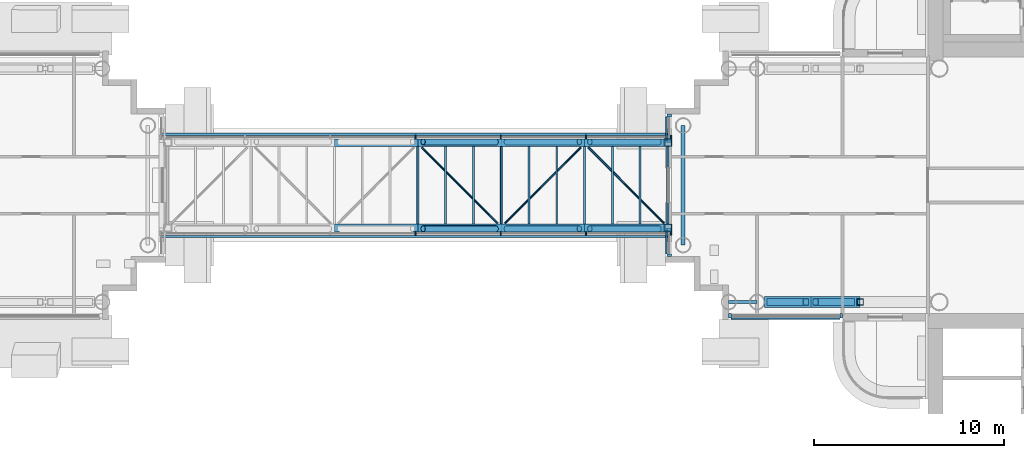
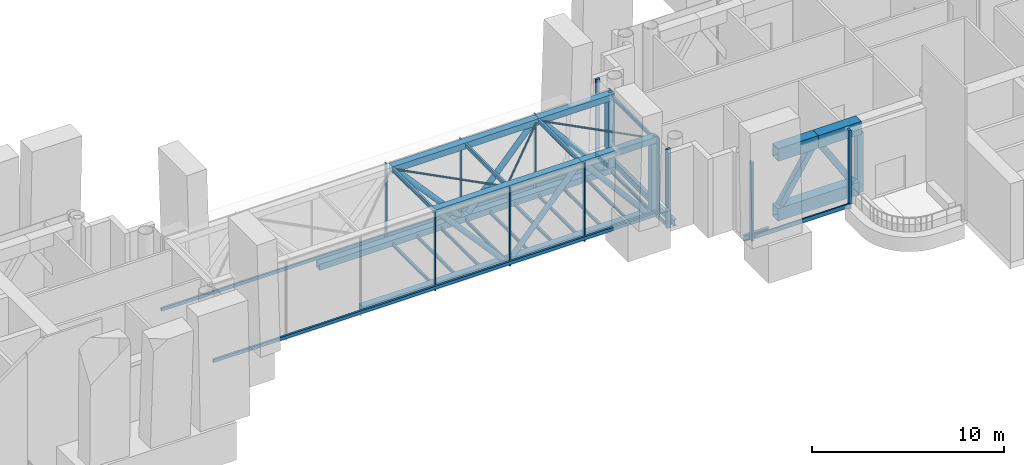
# One storey, part 6 of 34: 44 members, 16 beams, 5 elements without a shape of their own.
"""IFC4 building model written with IfcOpenShell, lengths in metres."""

from ifc_helpers import new_model, si_unit, direction, frame, origin, origin_2d, place, context, subcontext, project, spatial, rectangle, hollow_rectangle, hollow_circle, i_section, extrude, material, layer, layer_set, material_profile, profile_set, type_object, element, aggregate, save


model = new_model("IFC4")

# Units and contexts
model_context = context("Model", 3, precision=1e-05, world=origin(), true_north=direction((0.0, 1.0)))
body_context = subcontext(model_context, "Body", "Model", "MODEL_VIEW")
ifc_project = project(units=[si_unit("LENGTHUNIT", "METRE"), si_unit("AREAUNIT", "SQUARE_METRE"), si_unit("VOLUMEUNIT", "CUBIC_METRE"), si_unit("PLANEANGLEUNIT", "RADIAN"), si_unit("MASSUNIT", "GRAM", prefix="KILO")], contexts=[model_context])

# Site, building, storey
site_placement = place(None, origin())
site = spatial("IfcSite", under=ifc_project, at=site_placement, CompositionType="ELEMENT")
building_placement = place(site_placement, origin())
building = spatial("IfcBuilding", under=site, at=building_placement, Name="Ipe Terrace Towers", CompositionType="ELEMENT")
storey_placement = place(building_placement, frame((0.0, 0.0, 128.699951171875)))
storey = spatial("IfcBuildingStorey", under=building, at=storey_placement, Name="L35", CompositionType="ELEMENT", Elevation=128.699951171875)

# Curtain wall, members
ifc_material_1 = material(Name="Aluminium alloy 6063-T6", Category="aluminium")
ifc_layer_1 = layer(ifc_material_1, 0.300048828125)
ifc_layer_set_1 = layer_set([ifc_layer_1], Name="BRIDGE ENCLOSURE CURTAIN WALL")
curtain_wall_type_1 = type_object("IfcCurtainWallType", Name="BRIDGE ENCLOSURE CURTAIN WALL", PredefinedType="NOTDEFINED", material=ifc_layer_set_1)
curtain_wall_1_placement = place(storey_placement, origin())
curtain_wall_1 = element("IfcCurtainWall", 1, at=curtain_wall_1_placement, inside=storey, type_object=curtain_wall_type_1, Name="BR2-CW1 curtain wall", PredefinedType="NOTDEFINED")
ifc_material_2 = material(Name="Aluminium alloy 6063-T6", Category="aluminium")
ifc_material_profile_1 = material_profile(ifc_material_2, rectangle(XDim=0.179931640625, YDim=0.070068359375, at=origin_2d()), Name="BRIDGE ENCLOSURE MULLION 180 x 70")
ifc_profile_set_1 = profile_set([ifc_material_profile_1], Name="Aluminium alloy 6063-T6")
member_type_1 = type_object("IfcMemberType", Name="BRIDGE ENCLOSURE MULLION 180 x 70", PredefinedType="MULLION", material=ifc_profile_set_1)
member_1_placement = place(storey_placement, frame((15.715087890625, 2.544921875, -0.300048828125), z_axis=(0.0, 0.0, 1.0), x_axis=(0.0, 1.0, 0.0)))
member_1 = element("IfcMember", 2, at=member_1_placement, type_object=member_type_1, Name="BR2-CW1 mullion 1", PredefinedType="MULLION", context=body_context, shape_type="SweptSolid", body=[
    extrude(rectangle(XDim=0.179931640625, YDim=0.070068359375, at=origin_2d()), origin(), (0.0, 0.0, 1.0), 5.0),
])
member_2_placement = place(storey_placement, frame((11.2265625, 2.544921875, -0.300048828125), z_axis=(0.0, 0.0, 1.0), x_axis=(0.0, 1.0, 0.0)))
member_2 = element("IfcMember", 3, at=member_2_placement, type_object=member_type_1, Name="BR2-CW1 mullion 2", PredefinedType="MULLION", context=body_context, shape_type="SweptSolid", body=[
    extrude(rectangle(XDim=0.179931640625, YDim=0.070068359375, at=origin_2d()), origin(), (0.0, 0.0, 1.0), 5.0),
])
member_3_placement = place(storey_placement, frame((6.73828125, 2.544921875, -0.300048828125), z_axis=(0.0, 0.0, 1.0), x_axis=(0.0, 1.0, 0.0)))
member_3 = element("IfcMember", 4, at=member_3_placement, type_object=member_type_1, Name="BR2-CW1 mullion 3", PredefinedType="MULLION", context=body_context, shape_type="SweptSolid", body=[
    extrude(rectangle(XDim=0.179931640625, YDim=0.070068359375, at=origin_2d()), origin(), (0.0, 0.0, 1.0), 5.0),
])
member_4_placement = place(storey_placement, frame((2.25, 2.544921875, -0.300048828125), z_axis=(0.0, 0.0, 1.0), x_axis=(0.0, 1.0, 0.0)))
member_4 = element("IfcMember", 5, at=member_4_placement, type_object=member_type_1, Name="BR2-CW1 mullion 4", PredefinedType="MULLION", context=body_context, shape_type="SweptSolid", body=[
    extrude(rectangle(XDim=0.179931640625, YDim=0.070068359375, at=origin_2d()), origin(), (0.0, 0.0, 1.0), 5.0),
])

curtain_wall_2_placement = place(storey_placement, origin())
curtain_wall_2 = element("IfcCurtainWall", 6, at=curtain_wall_2_placement, inside=storey, type_object=curtain_wall_type_1, Name="BR2-CW2 curtain wall", PredefinedType="NOTDEFINED")
member_5_placement = place(storey_placement, frame((2.25, -2.544921875, -0.300048828125), z_axis=(0.0, 0.0, 1.0), x_axis=(0.0, -1.0, 0.0)))
member_5 = element("IfcMember", 7, at=member_5_placement, type_object=member_type_1, Name="BR2-CW2 mullion 4", PredefinedType="MULLION", context=body_context, shape_type="SweptSolid", body=[
    extrude(rectangle(XDim=0.179931640625, YDim=0.070068359375, at=origin_2d()), origin(), (0.0, 0.0, 1.0), 5.0),
])
member_6_placement = place(storey_placement, frame((6.73828125, -2.544921875, -0.300048828125), z_axis=(0.0, 0.0, 1.0), x_axis=(0.0, -1.0, 0.0)))
member_6 = element("IfcMember", 8, at=member_6_placement, type_object=member_type_1, Name="BR2-CW2 mullion 5", PredefinedType="MULLION", context=body_context, shape_type="SweptSolid", body=[
    extrude(rectangle(XDim=0.179931640625, YDim=0.070068359375, at=origin_2d()), origin(), (0.0, 0.0, 1.0), 5.0),
])
member_7_placement = place(storey_placement, frame((11.2265625, -2.544921875, -0.300048828125), z_axis=(0.0, 0.0, 1.0), x_axis=(0.0, -1.0, 0.0)))
member_7 = element("IfcMember", 9, at=member_7_placement, type_object=member_type_1, Name="BR2-CW2 mullion 6", PredefinedType="MULLION", context=body_context, shape_type="SweptSolid", body=[
    extrude(rectangle(XDim=0.179931640625, YDim=0.070068359375, at=origin_2d()), origin(), (0.0, 0.0, 1.0), 5.0),
])
member_8_placement = place(storey_placement, frame((15.715087890625, -2.544921875, -0.300048828125), z_axis=(0.0, 0.0, 1.0), x_axis=(0.0, -1.0, 0.0)))
member_8 = element("IfcMember", 10, at=member_8_placement, type_object=member_type_1, Name="BR2-CW2 mullion 7", PredefinedType="MULLION", context=body_context, shape_type="SweptSolid", body=[
    extrude(rectangle(XDim=0.179931640625, YDim=0.070068359375, at=origin_2d()), origin(), (0.0, 0.0, 1.0), 5.0),
])

# Member
ifc_material_3 = material(Name="Aluminium alloy 6063-T6", Category="aluminium")
ifc_material_profile_2 = material_profile(ifc_material_3, rectangle(XDim=0.1201171875, YDim=0.199951171875, at=origin_2d()), Name="BRIDGE ENCLOSURE TRANSOM 120 x 200")
ifc_profile_set_2 = profile_set([ifc_material_profile_2], Name="Aluminium alloy 6063-T6")
member_type_2 = type_object("IfcMemberType", Name="BRIDGE ENCLOSURE TRANSOM 120 x 200", PredefinedType="USERDEFINED", material=ifc_profile_set_2)
member_9_placement = place(storey_placement, frame((15.679931640625, 2.695068359375, 0.0), z_axis=(-1.0, 0.0, 0.0), x_axis=(0.0, 1.0, 0.0)))
member_9 = element("IfcMember", 11, at=member_9_placement, type_object=member_type_2, Name="BR2-CW1 transom", ObjectType="TRANSOM", PredefinedType="USERDEFINED", context=body_context, shape_type="SweptSolid", body=[
    extrude(rectangle(XDim=0.1201171875, YDim=0.199951171875, at=origin_2d()), origin(), (0.0, 0.0, 1.0), 26.85986328125),
])

aggregate(curtain_wall_1, [member_1, member_2, member_3, member_4, member_9])

member_10_placement = place(storey_placement, frame((-11.179931640625, -2.695068359375, 0.0), z_axis=(1.0, 0.0, 0.0), x_axis=(0.0, -1.0, 0.0)))
member_10 = element("IfcMember", 12, at=member_10_placement, type_object=member_type_2, Name="BR2-CW2 transom", ObjectType="TRANSOM", PredefinedType="USERDEFINED", context=body_context, shape_type="SweptSolid", body=[
    extrude(rectangle(XDim=0.1201171875, YDim=0.199951171875, at=origin_2d()), origin(), (0.0, 0.0, 1.0), 26.85986328125),
])

aggregate(curtain_wall_2, [member_5, member_6, member_7, member_8, member_10])

# Members
ifc_material_4 = material(Name="Steel S355", Category="steel")
ifc_material_profile_3 = material_profile(ifc_material_4, hollow_rectangle(XDim=0.39990234375, YDim=0.39990234375, WallThickness=0.02001953125, at=origin_2d()), Name="BRIDGE-CHORD BOX 400x400x20")
ifc_profile_set_3 = profile_set([ifc_material_profile_3], Name="Steel S355")
member_type_3 = type_object("IfcMemberType", Name="BRIDGE-CHORD BOX 400x400x20", PredefinedType="CHORD", material=ifc_profile_set_3)
member_11_placement = place(storey_placement, frame((15.75, -2.25, -0.14990234375), z_axis=(-1.0, 0.0, 0.0), x_axis=(0.0, -1.0, 0.0)))
element("IfcMember", 13, at=member_11_placement, inside=storey, type_object=member_type_3, Name="BR2-TSBC-001 bottom chord", PredefinedType="CHORD", context=body_context, shape_type="SweptSolid", body=[
    extrude(hollow_rectangle(XDim=0.39990234375, YDim=0.39990234375, WallThickness=0.02001953125, at=origin_2d()), origin(), (0.0, 0.0, 1.0), 8.98291015625),
])
member_12_placement = place(storey_placement, frame((6.76708984375, -2.25, -0.14990234375), z_axis=(-1.0, 0.0, 0.0), x_axis=(0.0, -1.0, 0.0)))
element("IfcMember", 14, at=member_12_placement, inside=storey, type_object=member_type_3, Name="BR2-TSBC-002 bottom chord", PredefinedType="CHORD", context=body_context, shape_type="SweptSolid", body=[
    extrude(hollow_rectangle(XDim=0.39990234375, YDim=0.39990234375, WallThickness=0.02001953125, at=origin_2d()), origin(), (0.0, 0.0, 1.0), 8.7841796875),
])
member_13_placement = place(storey_placement, frame((15.75, -2.25, 4.5), z_axis=(-1.0, 0.0, 0.0), x_axis=(0.0, -1.0, 0.0)))
element("IfcMember", 15, at=member_13_placement, inside=storey, type_object=member_type_3, Name="BR2-TSTC-004 top chord", PredefinedType="CHORD", context=body_context, shape_type="SweptSolid", body=[
    extrude(hollow_rectangle(XDim=0.39990234375, YDim=0.39990234375, WallThickness=0.02001953125, at=origin_2d()), origin(), (0.0, 0.0, 1.0), 4.592041015625),
])
member_14_placement = place(storey_placement, frame((11.157958984375, -2.25, 4.5), z_axis=(-1.0, 0.0, 0.0), x_axis=(0.0, -1.0, 0.0)))
element("IfcMember", 16, at=member_14_placement, inside=storey, type_object=member_type_3, Name="BR2-TSTC-005 top chord", PredefinedType="CHORD", context=body_context, shape_type="SweptSolid", body=[
    extrude(hollow_rectangle(XDim=0.39990234375, YDim=0.39990234375, WallThickness=0.02001953125, at=origin_2d()), origin(), (0.0, 0.0, 1.0), 8.782958984375),
])
member_15_placement = place(storey_placement, frame((15.75, 2.25, -0.14990234375), z_axis=(-1.0, 0.0, 0.0), x_axis=(0.0, -1.0, 0.0)))
element("IfcMember", 17, at=member_15_placement, inside=storey, type_object=member_type_3, Name="BR2-TNBC-016 bottom chord", PredefinedType="CHORD", context=body_context, shape_type="SweptSolid", body=[
    extrude(hollow_rectangle(XDim=0.39990234375, YDim=0.39990234375, WallThickness=0.02001953125, at=origin_2d()), origin(), (0.0, 0.0, 1.0), 8.98291015625),
])
member_16_placement = place(storey_placement, frame((6.76708984375, 2.25, -0.14990234375), z_axis=(-1.0, 0.0, 0.0), x_axis=(0.0, -1.0, 0.0)))
element("IfcMember", 18, at=member_16_placement, inside=storey, type_object=member_type_3, Name="BR2-TNBC-017 bottom chord", PredefinedType="CHORD", context=body_context, shape_type="SweptSolid", body=[
    extrude(hollow_rectangle(XDim=0.39990234375, YDim=0.39990234375, WallThickness=0.02001953125, at=origin_2d()), origin(), (0.0, 0.0, 1.0), 8.7841796875),
])
member_17_placement = place(storey_placement, frame((15.75, 2.25, 4.5), z_axis=(-1.0, 0.0, 0.0), x_axis=(0.0, -1.0, 0.0)))
element("IfcMember", 19, at=member_17_placement, inside=storey, type_object=member_type_3, Name="BR2-TNTC-019 top chord", PredefinedType="CHORD", context=body_context, shape_type="SweptSolid", body=[
    extrude(hollow_rectangle(XDim=0.39990234375, YDim=0.39990234375, WallThickness=0.02001953125, at=origin_2d()), origin(), (0.0, 0.0, 1.0), 4.592041015625),
])
member_18_placement = place(storey_placement, frame((11.157958984375, 2.25, 4.5), z_axis=(-1.0, 0.0, 0.0), x_axis=(0.0, -1.0, 0.0)))
element("IfcMember", 20, at=member_18_placement, inside=storey, type_object=member_type_3, Name="BR2-TNTC-020 top chord", PredefinedType="CHORD", context=body_context, shape_type="SweptSolid", body=[
    extrude(hollow_rectangle(XDim=0.39990234375, YDim=0.39990234375, WallThickness=0.02001953125, at=origin_2d()), origin(), (0.0, 0.0, 1.0), 8.782958984375),
])

# Beams
ifc_material_5 = material(Name="Steel S355", Category="steel")
ifc_material_profile_4 = material_profile(ifc_material_5, i_section(OverallWidth=0.10009765625, OverallDepth=0.199951171875, WebThickness=0.005615234375, FlangeThickness=0.008056640625, at=origin_2d()), Name="H200x100")
ifc_profile_set_4 = profile_set([ifc_material_profile_4], Name="Steel S355")
beam_type_1 = type_object("IfcBeamType", Name="BRIDGE-DECK BEAM H200x100", PredefinedType="BEAM", material=ifc_profile_set_4)
for number, where, z_axis, x_axis, name in (
    (21, (15.550048828125, -2.050048828125, -0.219970703125), (0.0, 1.0, 0.0), (-1.0, 0.0, 0.0), "BR2-DB-031 deck beam"),
    (22, (14.0859375, -2.050048828125, -0.219970703125), (0.0, 1.0, 0.0), (-1.0, 0.0, 0.0), "BR2-DB-032 deck beam"),
    (23, (12.6220703125, -2.050048828125, -0.219970703125), (0.0, 1.0, 0.0), (-1.0, 0.0, 0.0), "BR2-DB-033 deck beam"),
    (24, (11.157958984375, -2.050048828125, -0.219970703125), (0.0, 1.0, 0.0), (-1.0, 0.0, 0.0), "BR2-DB-034 deck beam"),
    (25, (9.694091796875, -2.050048828125, -0.219970703125), (0.0, 1.0, 0.0), (-1.0, 0.0, 0.0), "BR2-DB-035 deck beam"),
    (26, (8.23095703125, -2.050048828125, -0.219970703125), (0.0, 1.0, 0.0), (-1.0, 0.0, 0.0), "BR2-DB-036 deck beam"),
    (27, (6.76708984375, -2.050048828125, -0.219970703125), (0.0, 1.0, 0.0), (-1.0, 0.0, 0.0), "BR2-DB-037 deck beam"),
    (28, (5.302978515625, -2.050048828125, -0.219970703125), (0.0, 1.0, 0.0), (-1.0, 0.0, 0.0), "BR2-DB-038 deck beam"),
    (29, (3.839111328125, -2.050048828125, -0.219970703125), (0.0, 1.0, 0.0), (-1.0, 0.0, 0.0), "BR2-DB-039 deck beam"),
    (30, (2.375, -2.050048828125, -0.219970703125), (0.0, 1.0, 0.0), (-1.0, 0.0, 0.0), "BR2-DB-040 deck beam"),
):
    element("IfcBeam", number, at=place(storey_placement, frame(where, z_axis=z_axis, x_axis=x_axis)), inside=storey, type_object=beam_type_1, Name=name, PredefinedType="BEAM", context=body_context, shape_type="SweptSolid", body=[
        extrude(i_section(OverallWidth=0.10009765625, OverallDepth=0.199951171875, WebThickness=0.005615234375, FlangeThickness=0.008056640625, at=origin_2d()), origin(), (0.0, 0.0, 1.0), 4.10009765625),
    ])

# Members
ifc_material_6 = material(Name="Steel S355", Category="steel")
ifc_material_profile_5 = material_profile(ifc_material_6, hollow_circle(Radius=0.162109375, WallThickness=0.013916015625, at=origin_2d()), Name="BRIDGE-DIAGONAL CHS 324x14")
ifc_profile_set_5 = profile_set([ifc_material_profile_5], Name="Steel S355")
member_type_4 = type_object("IfcMemberType", Name="BRIDGE-DIAGONAL CHS 324x14", PredefinedType="BRACE", material=ifc_profile_set_5)
member_19_placement = place(storey_placement, frame((15.073974609375, -2.2880859375, 0.030029296875), z_axis=(-0.646962921589, 0.0, 0.76252146074), x_axis=(0.0, -1.0, 0.0)))
element("IfcMember", 31, at=member_19_placement, inside=storey, type_object=member_type_4, Name="BR2-TSD-010 diagonal", PredefinedType="BRACE", context=body_context, shape_type="SweptSolid", body=[
    extrude(hollow_circle(Radius=0.162109375, WallThickness=0.013916015625, at=origin_2d()), origin(), (0.0, 0.0, 1.0), 5.626220703125),
])
member_20_placement = place(storey_placement, frame((10.883056640625, -2.2880859375, 4.320068359375), z_axis=(-0.667046404182, 0.0, -0.745016170742), x_axis=(0.0, -1.0, 0.0)))
element("IfcMember", 32, at=member_20_placement, inside=storey, type_object=member_type_4, Name="BR2-TSD-011 diagonal", PredefinedType="BRACE", context=body_context, shape_type="SweptSolid", body=[
    extrude(hollow_circle(Radius=0.162109375, WallThickness=0.013916015625, at=origin_2d()), origin(), (0.0, 0.0, 1.0), 5.75830078125),
])
member_21_placement = place(storey_placement, frame((6.491943359375, -2.2880859375, 0.030029296875), z_axis=(-0.667140519909, 0.0, 0.744931893998), x_axis=(0.0, -1.0, 0.0)))
element("IfcMember", 33, at=member_21_placement, inside=storey, type_object=member_type_4, Name="BR2-TSD-012 diagonal", PredefinedType="BRACE", context=body_context, shape_type="SweptSolid", body=[
    extrude(hollow_circle(Radius=0.162109375, WallThickness=0.013916015625, at=origin_2d()), origin(), (0.0, 0.0, 1.0), 5.759033203125),
])
member_22_placement = place(storey_placement, frame((15.073974609375, 2.2880859375, 0.030029296875), z_axis=(-0.646962921589, 0.0, 0.76252146074), x_axis=(0.0, -1.0, 0.0)))
element("IfcMember", 34, at=member_22_placement, inside=storey, type_object=member_type_4, Name="BR2-TND-025 diagonal", PredefinedType="BRACE", context=body_context, shape_type="SweptSolid", body=[
    extrude(hollow_circle(Radius=0.162109375, WallThickness=0.013916015625, at=origin_2d()), origin(), (0.0, 0.0, 1.0), 5.626220703125),
])
member_23_placement = place(storey_placement, frame((10.883056640625, 2.2880859375, 4.320068359375), z_axis=(-0.667046404182, 0.0, -0.745016170742), x_axis=(0.0, -1.0, 0.0)))
element("IfcMember", 35, at=member_23_placement, inside=storey, type_object=member_type_4, Name="BR2-TND-026 diagonal", PredefinedType="BRACE", context=body_context, shape_type="SweptSolid", body=[
    extrude(hollow_circle(Radius=0.162109375, WallThickness=0.013916015625, at=origin_2d()), origin(), (0.0, 0.0, 1.0), 5.75830078125),
])
member_24_placement = place(storey_placement, frame((6.491943359375, 2.2880859375, 0.030029296875), z_axis=(-0.667140519909, 0.0, 0.744931893998), x_axis=(0.0, -1.0, 0.0)))
element("IfcMember", 36, at=member_24_placement, inside=storey, type_object=member_type_4, Name="BR2-TND-027 diagonal", PredefinedType="BRACE", context=body_context, shape_type="SweptSolid", body=[
    extrude(hollow_circle(Radius=0.162109375, WallThickness=0.013916015625, at=origin_2d()), origin(), (0.0, 0.0, 1.0), 5.759033203125),
])
ifc_material_7 = material(Name="Steel S355", Category="steel")
ifc_material_profile_6 = material_profile(ifc_material_7, hollow_circle(Radius=0.05712890625, WallThickness=0.006103515625, at=origin_2d()), Name="BRIDGE-PLAN BRACE CHS 114x6")
ifc_profile_set_6 = profile_set([ifc_material_profile_6], Name="Steel S355")
member_type_5 = type_object("IfcMemberType", Name="BRIDGE-PLAN BRACE CHS 114x6", PredefinedType="BRACE", material=ifc_profile_set_6)
member_25_placement = place(storey_placement, frame((15.360107421875, -2.010009765625, 4.5), z_axis=(-0.706418683603, 0.707794209821, 0.0), x_axis=(-0.707794209821, -0.706418683603, 0.0)))
element("IfcMember", 37, at=member_25_placement, inside=storey, type_object=member_type_5, Name="BR2-PB-057 roof plan brace", PredefinedType="BRACE", context=body_context, shape_type="SweptSolid", body=[
    extrude(hollow_circle(Radius=0.05712890625, WallThickness=0.006103515625, at=origin_2d()), origin(), (0.0, 0.0, 1.0), 5.6796875),
])
member_26_placement = place(storey_placement, frame((10.968017578125, 2.010009765625, 4.5), z_axis=(-0.706310987046, -0.707901680729, 0.0), x_axis=(0.707901680729, -0.706310987046, 0.0)))
element("IfcMember", 38, at=member_26_placement, inside=storey, type_object=member_type_5, Name="BR2-PB-058 roof plan brace", PredefinedType="BRACE", context=body_context, shape_type="SweptSolid", body=[
    extrude(hollow_circle(Radius=0.05712890625, WallThickness=0.006103515625, at=origin_2d()), origin(), (0.0, 0.0, 1.0), 5.6787109375),
])
member_27_placement = place(storey_placement, frame((6.576904296875, -2.010009765625, 4.5), z_axis=(-0.706397148216, 0.707815702703, 0.0), x_axis=(-0.707815702703, -0.706397148216, 0.0)))
element("IfcMember", 39, at=member_27_placement, inside=storey, type_object=member_type_5, Name="BR2-PB-059 roof plan brace", PredefinedType="BRACE", context=body_context, shape_type="SweptSolid", body=[
    extrude(hollow_circle(Radius=0.05712890625, WallThickness=0.006103515625, at=origin_2d()), origin(), (0.0, 0.0, 1.0), 5.679443359375),
])
ifc_material_8 = material(Name="Steel S355", Category="steel")
ifc_material_profile_7 = material_profile(ifc_material_8, hollow_rectangle(XDim=0.39990234375, YDim=0.39990234375, WallThickness=0.02001953125, at=origin_2d()), Name="BRIDGE-POST BOX 400x400x20")
ifc_profile_set_7 = profile_set([ifc_material_profile_7], Name="Steel S355")
member_type_6 = type_object("IfcMemberType", Name="BRIDGE-POST BOX 400x400x20", PredefinedType="POST", material=ifc_profile_set_7)
for number, where, z_axis, x_axis, name in (
    (40, (15.550048828125, -2.25, 0.050048828125), (0.0, 0.0, 1.0), (1.0, 0.0, 0.0), "BR2-TSP-008 end post"),
    (41, (15.550048828125, 2.25, 0.050048828125), (0.0, 0.0, 1.0), (1.0, 0.0, 0.0), "BR2-TNP-023 end post"),
):
    element("IfcMember", number, at=place(storey_placement, frame(where, z_axis=z_axis, x_axis=x_axis)), inside=storey, type_object=member_type_6, Name=name, PredefinedType="POST", context=body_context, shape_type="SweptSolid", body=[
        extrude(hollow_rectangle(XDim=0.39990234375, YDim=0.39990234375, WallThickness=0.02001953125, at=origin_2d()), origin(), (0.0, 0.0, 1.0), 4.25),
    ])

# Beams
ifc_material_9 = material(Name="Steel S355", Category="steel")
ifc_material_profile_8 = material_profile(ifc_material_9, i_section(OverallWidth=0.125, OverallDepth=0.25, WebThickness=0.006103515625, FlangeThickness=0.009033203125, at=origin_2d()), Name="H250x125")
ifc_profile_set_8 = profile_set([ifc_material_profile_8], Name="Steel S355")
beam_type_2 = type_object("IfcBeamType", Name="BRIDGE-ROOF BEAM H250x125", PredefinedType="BEAM", material=ifc_profile_set_8)
for number, where, z_axis, x_axis, name in (
    (42, (15.550048828125, -2.050048828125, 4.574951171875), (0.0, 1.0, 0.0), (-1.0, 0.0, 0.0), "BR2-RB-050 roof beam"),
    (43, (11.157958984375, -2.050048828125, 4.574951171875), (0.0, 1.0, 0.0), (-1.0, 0.0, 0.0), "BR2-RB-051 roof beam"),
    (44, (6.76708984375, -2.050048828125, 4.574951171875), (0.0, 1.0, 0.0), (-1.0, 0.0, 0.0), "BR2-RB-052 roof beam"),
    (45, (2.375, -2.050048828125, 4.574951171875), (0.0, 1.0, 0.0), (-1.0, 0.0, 0.0), "BR2-RB-053 roof beam"),
):
    element("IfcBeam", number, at=place(storey_placement, frame(where, z_axis=z_axis, x_axis=x_axis)), inside=storey, type_object=beam_type_2, Name=name, PredefinedType="BEAM", context=body_context, shape_type="SweptSolid", body=[
        extrude(i_section(OverallWidth=0.125, OverallDepth=0.25, WebThickness=0.006103515625, FlangeThickness=0.009033203125, at=origin_2d()), origin(), (0.0, 0.0, 1.0), 4.10009765625),
    ])
ifc_material_10 = material(Name="Steel S355", Category="steel")
ifc_material_profile_9 = material_profile(ifc_material_10, i_section(OverallWidth=0.175048828125, OverallDepth=0.35009765625, WebThickness=0.007080078125, FlangeThickness=0.010986328125, at=origin_2d()), Name="H-350x175x7x11")
ifc_profile_set_9 = profile_set([ifc_material_profile_9], Name="Steel S355")
beam_type_3 = type_object("IfcBeamType", Name="H04 EDGE BEAM H-350x175x7x11", PredefinedType="BEAM", material=ifc_profile_set_9)
beam_1_placement = place(storey_placement, frame((20.25, -6.14990234375, -0.574951171875), z_axis=(-1.0, 0.0, 0.0), x_axis=(0.0, -1.0, 0.0)))
element("IfcBeam", 46, at=beam_1_placement, inside=storey, type_object=beam_type_3, Name="Edge beam T2-EB-B04-B06", PredefinedType="BEAM", context=body_context, shape_type="SweptSolid", body=[
    extrude(i_section(OverallWidth=0.175048828125, OverallDepth=0.35009765625, WebThickness=0.007080078125, FlangeThickness=0.010986328125, at=origin_2d()), origin(), (0.0, 0.0, 1.0), 1.5),
])
ifc_material_11 = material(Name="Steel S355", Category="steel")
ifc_material_profile_10 = material_profile(ifc_material_11, i_section(OverallWidth=0.199951171875, OverallDepth=0.39990234375, WebThickness=0.008056640625, FlangeThickness=0.012939453125, at=origin_2d()), Name="H-400x200x8x13")
ifc_profile_set_10 = profile_set([ifc_material_profile_10], Name="Steel S355")
beam_type_4 = type_object("IfcBeamType", Name="H06 EDGE BEAM H-400x200x8x13", PredefinedType="BEAM", material=ifc_profile_set_10)
beam_2_placement = place(storey_placement, frame((16.35009765625, 3.14990234375, -0.599853515625), z_axis=(0.0, -1.0, 0.0), x_axis=(1.0, 0.0, 0.0)))
element("IfcBeam", 47, at=beam_2_placement, inside=storey, type_object=beam_type_4, Name="Edge beam T2-EB-B07-B08", PredefinedType="BEAM", context=body_context, shape_type="SweptSolid", body=[
    extrude(i_section(OverallWidth=0.199951171875, OverallDepth=0.39990234375, WebThickness=0.008056640625, FlangeThickness=0.012939453125, at=origin_2d()), origin(), (0.0, 0.0, 1.0), 6.2998046875),
])

# Members
ifc_material_12 = material(Name="Steel S355", Category="steel")
ifc_material_profile_11 = material_profile(ifc_material_12, hollow_rectangle(XDim=0.35009765625, YDim=0.35009765625, WallThickness=0.02001953125, at=origin_2d()), Name="OUTRIGGER-BRACE BOX 350x350x20")
ifc_profile_set_11 = profile_set([ifc_material_profile_11], Name="Steel S355")
member_type_7 = type_object("IfcMemberType", Name="OUTRIGGER-BRACE BOX 350x350x20", PredefinedType="BRACE", material=ifc_profile_set_11)
for number, where, z_axis, x_axis, name in (
    (48, (25.238037109375, -6.14990234375, 0.780029296875), (-0.530219259302, 0.0, 0.847860564636), (0.0, -1.0, 0.0), "T2-OR-L35-206 diagonal"),
    (49, (20.912109375, -6.14990234375, 0.780029296875), (0.530170308736, 0.0, 0.847891174464), (0.0, 1.0, 0.0), "T2-OR-L35-207 diagonal"),
):
    element("IfcMember", number, at=place(storey_placement, frame(where, z_axis=z_axis, x_axis=x_axis)), inside=storey, type_object=member_type_7, Name=name, PredefinedType="BRACE", context=body_context, shape_type="SweptSolid", body=[
        extrude(hollow_rectangle(XDim=0.35009765625, YDim=0.35009765625, WallThickness=0.02001953125, at=origin_2d()), origin(), (0.0, 0.0, 1.0), 3.58544921875),
    ])
ifc_material_13 = material(Name="Steel S355", Category="steel")
ifc_material_profile_12 = material_profile(ifc_material_13, hollow_rectangle(XDim=0.60009765625, YDim=0.800048828125, WallThickness=0.0400390625, at=origin_2d()), Name="OUTRIGGER-CHORD BOX 600x800x40")
ifc_profile_set_12 = profile_set([ifc_material_profile_12], Name="Steel S355")
member_type_8 = type_object("IfcMemberType", Name="OUTRIGGER-CHORD BOX 600x800x40", PredefinedType="CHORD", material=ifc_profile_set_12)
member_28_placement = place(storey_placement, frame((25.5, -6.14990234375, 0.400146484375), z_axis=(-1.0, 0.0, 0.0), x_axis=(0.0, -1.0, 0.0)))
element("IfcMember", 50, at=member_28_placement, inside=storey, type_object=member_type_8, Name="T2-OR-L35-205 bottom chord", PredefinedType="CHORD", context=body_context, shape_type="SweptSolid", body=[
    extrude(hollow_rectangle(XDim=0.60009765625, YDim=0.800048828125, WallThickness=0.0400390625, at=origin_2d()), origin(), (0.0, 0.0, 1.0), 4.85009765625),
])
member_29_placement = place(storey_placement, frame((25.675048828125, -6.14990234375, 4.199951171875), z_axis=(-1.0, 0.0, 0.0), x_axis=(0.0, -1.0, 0.0)))
element("IfcMember", 51, at=member_29_placement, inside=storey, type_object=member_type_8, Name="T2-OR-L35-210 top chord", PredefinedType="CHORD", context=body_context, shape_type="SweptSolid", body=[
    extrude(hollow_rectangle(XDim=0.60009765625, YDim=0.800048828125, WallThickness=0.0400390625, at=origin_2d()), origin(), (0.0, 0.0, 1.0), 2.60009765625),
])
member_30_placement = place(storey_placement, frame((23.074951171875, -6.14990234375, 4.199951171875), z_axis=(-1.0, 0.0, 0.0), x_axis=(0.0, -1.0, 0.0)))
element("IfcMember", 52, at=member_30_placement, inside=storey, type_object=member_type_8, Name="T2-OR-L35-211 top chord", PredefinedType="CHORD", context=body_context, shape_type="SweptSolid", body=[
    extrude(hollow_rectangle(XDim=0.60009765625, YDim=0.800048828125, WallThickness=0.0400390625, at=origin_2d()), origin(), (0.0, 0.0, 1.0), 2.425048828125),
])
ifc_material_14 = material(Name="Steel S355", Category="steel")
ifc_material_profile_13 = material_profile(ifc_material_14, hollow_rectangle(XDim=0.35009765625, YDim=0.35009765625, WallThickness=0.02001953125, at=origin_2d()), Name="OUTRIGGER-POST BOX 350x350x20")
ifc_profile_set_13 = profile_set([ifc_material_profile_13], Name="Steel S355")
member_type_9 = type_object("IfcMemberType", Name="OUTRIGGER-POST BOX 350x350x20", PredefinedType="POST", material=ifc_profile_set_13)
member_31_placement = place(storey_placement, frame((25.675048828125, -6.14990234375, 0.0), z_axis=(0.0, 0.0, 1.0), x_axis=(1.0, 0.0, 0.0)))
element("IfcMember", 53, at=member_31_placement, inside=storey, type_object=member_type_9, Name="T2-OR-L35-208 post", PredefinedType="POST", context=body_context, shape_type="SweptSolid", body=[
    extrude(hollow_rectangle(XDim=0.35009765625, YDim=0.35009765625, WallThickness=0.02001953125, at=origin_2d()), origin(), (0.0, 0.0, 1.0), 3.800048828125),
])

# Curtain wall, members
ifc_material_15 = material(Name="Aluminium alloy 6063-T6", Category="aluminium")
ifc_layer_2 = layer(ifc_material_15, 0.320068359375)
ifc_layer_set_2 = layer_set([ifc_layer_2], Name="REFUGE FLOOR CURTAIN WALL")
curtain_wall_type_2 = type_object("IfcCurtainWallType", Name="REFUGE FLOOR CURTAIN WALL", PredefinedType="NOTDEFINED", material=ifc_layer_set_2)
curtain_wall_3_placement = place(storey_placement, origin())
curtain_wall_3 = element("IfcCurtainWall", 54, at=curtain_wall_3_placement, inside=storey, type_object=curtain_wall_type_2, Name="T2-CW-L35-34a curtain wall", PredefinedType="NOTDEFINED")
ifc_material_16 = material(Name="Aluminium alloy 6063-T6", Category="aluminium")
ifc_material_profile_14 = material_profile(ifc_material_16, rectangle(XDim=0.239990234375, YDim=0.139892578125, at=origin_2d()), Name="REFUGE FLOOR CORNER MULLION 240 x 140")
ifc_profile_set_14 = profile_set([ifc_material_profile_14], Name="Aluminium alloy 6063-T6")
member_type_10 = type_object("IfcMemberType", Name="REFUGE FLOOR CORNER MULLION 240 x 140", PredefinedType="MULLION", material=ifc_profile_set_14)
member_32_placement = place(storey_placement, frame((15.6298828125, 3.679931640625, -0.300048828125), z_axis=(0.0, 0.0, 1.0), x_axis=(-1.0, 0.0, 0.0)))
member_32 = element("IfcMember", 55, at=member_32_placement, type_object=member_type_10, Name="T2-CW-L35-34a mullion 1", PredefinedType="MULLION", context=body_context, shape_type="SweptSolid", body=[
    extrude(rectangle(XDim=0.239990234375, YDim=0.139892578125, at=origin_2d()), origin(), (0.0, 0.0, 1.0), 5.0),
])
member_33_placement = place(storey_placement, frame((15.6298828125, 2.320068359375, -0.300048828125), z_axis=(0.0, 0.0, 1.0), x_axis=(-1.0, 0.0, 0.0)))
member_33 = element("IfcMember", 56, at=member_33_placement, type_object=member_type_10, Name="T2-CW-L35-34a mullion 2", PredefinedType="MULLION", context=body_context, shape_type="SweptSolid", body=[
    extrude(rectangle(XDim=0.239990234375, YDim=0.139892578125, at=origin_2d()), origin(), (0.0, 0.0, 1.0), 5.0),
])

curtain_wall_4_placement = place(storey_placement, origin())
curtain_wall_4 = element("IfcCurtainWall", 57, at=curtain_wall_4_placement, inside=storey, type_object=curtain_wall_type_2, Name="T2-CW-L35-34c curtain wall", PredefinedType="NOTDEFINED")
member_34_placement = place(storey_placement, frame((15.6298828125, -2.320068359375, -0.300048828125), z_axis=(0.0, 0.0, 1.0), x_axis=(-1.0, 0.0, 0.0)))
member_34 = element("IfcMember", 58, at=member_34_placement, type_object=member_type_10, Name="T2-CW-L35-34c mullion 1", PredefinedType="MULLION", context=body_context, shape_type="SweptSolid", body=[
    extrude(rectangle(XDim=0.239990234375, YDim=0.139892578125, at=origin_2d()), origin(), (0.0, 0.0, 1.0), 5.0),
])
member_35_placement = place(storey_placement, frame((15.6298828125, -3.679931640625, -0.300048828125), z_axis=(0.0, 0.0, 1.0), x_axis=(-1.0, 0.0, 0.0)))
member_35 = element("IfcMember", 59, at=member_35_placement, type_object=member_type_10, Name="T2-CW-L35-34c mullion 2", PredefinedType="MULLION", context=body_context, shape_type="SweptSolid", body=[
    extrude(rectangle(XDim=0.239990234375, YDim=0.139892578125, at=origin_2d()), origin(), (0.0, 0.0, 1.0), 5.0),
])

curtain_wall_5_placement = place(storey_placement, origin())
curtain_wall_5 = element("IfcCurtainWall", 60, at=curtain_wall_5_placement, inside=storey, type_object=curtain_wall_type_2, Name="T2-CW-L35-39a curtain wall", PredefinedType="NOTDEFINED")
member_36_placement = place(storey_placement, frame((18.820068359375, -6.8701171875, -0.300048828125), z_axis=(0.0, 0.0, 1.0), x_axis=(0.0, -1.0, 0.0)))
member_36 = element("IfcMember", 61, at=member_36_placement, type_object=member_type_10, Name="T2-CW-L35-39a mullion 1", PredefinedType="MULLION", context=body_context, shape_type="SweptSolid", body=[
    extrude(rectangle(XDim=0.239990234375, YDim=0.139892578125, at=origin_2d()), origin(), (0.0, 0.0, 1.0), 5.0),
])
member_37_placement = place(storey_placement, frame((24.679931640625, -6.8701171875, -0.300048828125), z_axis=(0.0, 0.0, 1.0), x_axis=(0.0, -1.0, 0.0)))
member_37 = element("IfcMember", 62, at=member_37_placement, type_object=member_type_10, Name="T2-CW-L35-39a mullion 2", PredefinedType="MULLION", context=body_context, shape_type="SweptSolid", body=[
    extrude(rectangle(XDim=0.239990234375, YDim=0.139892578125, at=origin_2d()), origin(), (0.0, 0.0, 1.0), 5.0),
])

# Member
ifc_material_17 = material(Name="Aluminium alloy 6063-T6", Category="aluminium")
ifc_material_profile_15 = material_profile(ifc_material_17, rectangle(XDim=0.080078125, YDim=0.260009765625, at=origin_2d()), Name="REFUGE FLOOR TRANSOM 80 x 260")
ifc_profile_set_15 = profile_set([ifc_material_profile_15], Name="Aluminium alloy 6063-T6")
member_type_11 = type_object("IfcMemberType", Name="REFUGE FLOOR TRANSOM 80 x 260", PredefinedType="USERDEFINED", material=ifc_profile_set_15)
member_38_placement = place(storey_placement, frame((15.469970703125, 3.610107421875, 0.0), z_axis=(0.0, -1.0, 0.0), x_axis=(-1.0, 0.0, 0.0)))
member_38 = element("IfcMember", 63, at=member_38_placement, type_object=member_type_11, Name="T2-CW-L35-34a transom", ObjectType="TRANSOM", PredefinedType="USERDEFINED", context=body_context, shape_type="SweptSolid", body=[
    extrude(rectangle(XDim=0.080078125, YDim=0.260009765625, at=origin_2d()), origin(), (0.0, 0.0, 1.0), 1.22021484375),
])

aggregate(curtain_wall_3, [member_32, member_33, member_38])

member_39_placement = place(storey_placement, frame((15.469970703125, -2.389892578125, 0.0), z_axis=(0.0, -1.0, 0.0), x_axis=(-1.0, 0.0, 0.0)))
member_39 = element("IfcMember", 64, at=member_39_placement, type_object=member_type_11, Name="T2-CW-L35-34c transom", ObjectType="TRANSOM", PredefinedType="USERDEFINED", context=body_context, shape_type="SweptSolid", body=[
    extrude(rectangle(XDim=0.080078125, YDim=0.260009765625, at=origin_2d()), origin(), (0.0, 0.0, 1.0), 1.22021484375),
])

aggregate(curtain_wall_4, [member_34, member_35, member_39])

member_40_placement = place(storey_placement, frame((18.889892578125, -7.030029296875, 0.0), z_axis=(1.0, 0.0, 0.0), x_axis=(0.0, -1.0, 0.0)))
member_40 = element("IfcMember", 65, at=member_40_placement, type_object=member_type_11, Name="T2-CW-L35-39a transom", ObjectType="TRANSOM", PredefinedType="USERDEFINED", context=body_context, shape_type="SweptSolid", body=[
    extrude(rectangle(XDim=0.080078125, YDim=0.260009765625, at=origin_2d()), origin(), (0.0, 0.0, 1.0), 5.72021484375),
])

aggregate(curtain_wall_5, [member_36, member_37, member_40])

save(model, "model.ifc")
